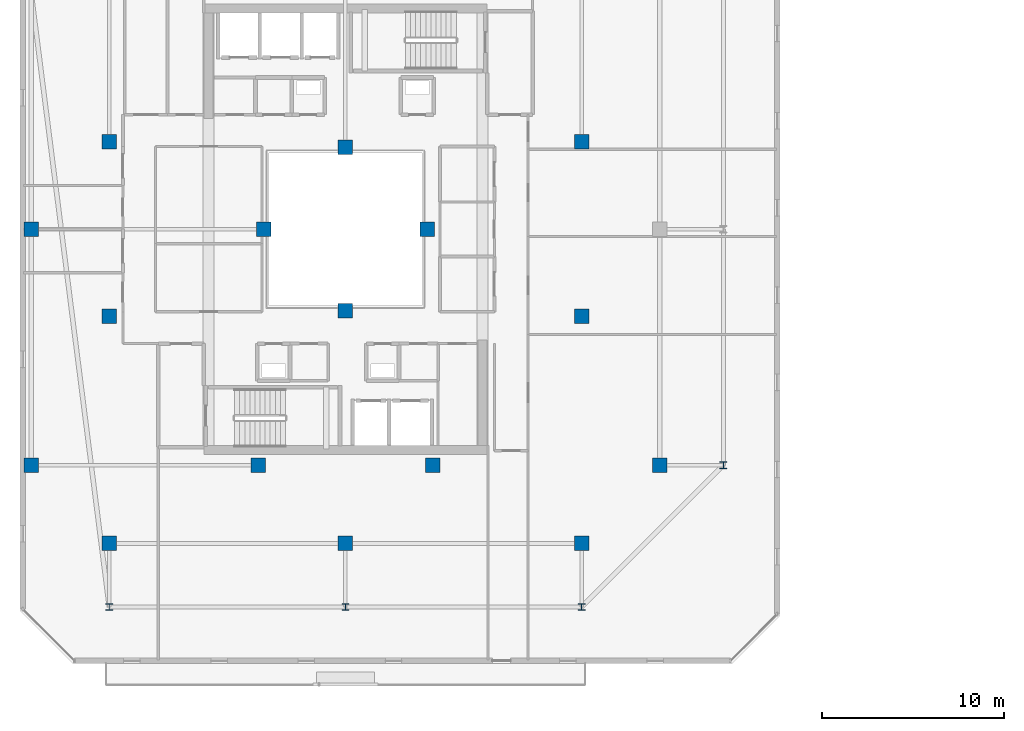
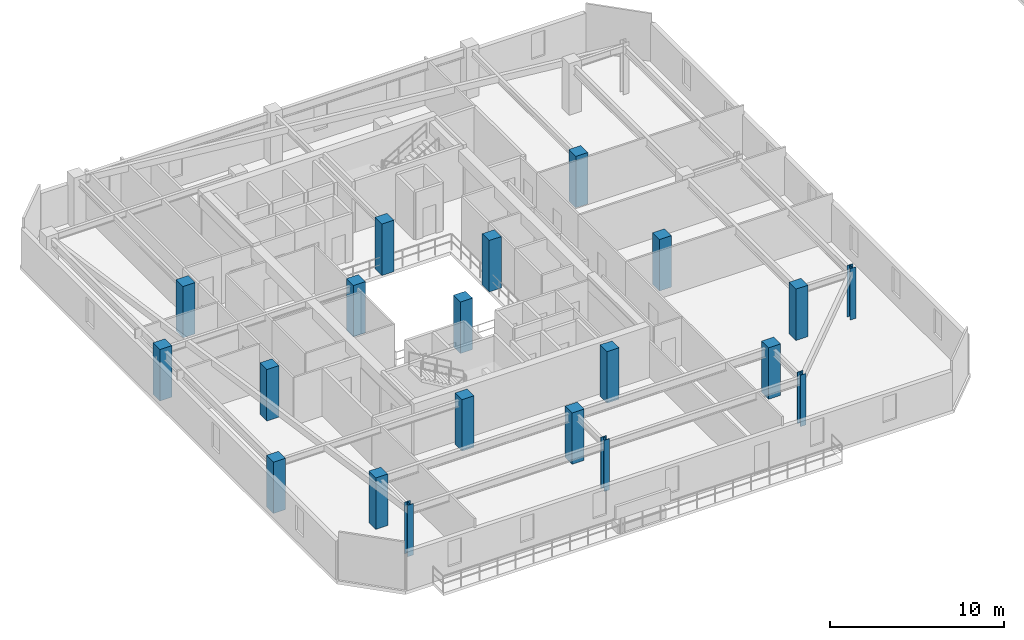
# One storey, part 1 of 35: 20 columns.
"""IFC4 building model written with IfcOpenShell, lengths in metres."""

from ifc_helpers import new_model, si_unit, direction, frame, origin, origin_2d, place, context, subcontext, project, spatial, rectangle, i_section, extrude, material, material_profile, profile_set, type_object, element, save


model = new_model("IFC4")

# Units and contexts
model_context = context("Model", 3, precision=1e-05, world=origin(), true_north=direction((0.0, 1.0)))
body_context = subcontext(model_context, "Body", "Model", "MODEL_VIEW")
ifc_project = project(units=[si_unit("LENGTHUNIT", "METRE"), si_unit("AREAUNIT", "SQUARE_METRE"), si_unit("VOLUMEUNIT", "CUBIC_METRE"), si_unit("PLANEANGLEUNIT", "RADIAN"), si_unit("MASSUNIT", "GRAM", prefix="KILO")], contexts=[model_context])

# Site, building, storey
site_placement = place(None, origin())
site = spatial("IfcSite", under=ifc_project, at=site_placement, CompositionType="ELEMENT")
building_placement = place(site_placement, origin())
building = spatial("IfcBuilding", under=site, at=building_placement, Name="Thornwick Lancets Civic Towers", CompositionType="ELEMENT")
storey_placement = place(building_placement, frame((0.0, 0.0, 272.699951171875)))
storey = spatial("IfcBuildingStorey", under=building, at=storey_placement, Name="L73", CompositionType="ELEMENT", Elevation=272.699951171875)

# Columns
ifc_material_1 = material(Name="Concrete C50/60", Category="concrete")
ifc_material_profile_1 = material_profile(ifc_material_1, rectangle(XDim=0.800048828125, YDim=0.800048828125, at=origin_2d()), Name="RC 800x800")
ifc_profile_set_1 = profile_set([ifc_material_profile_1], Name="Concrete C50/60")
column_type_1 = type_object("IfcColumnType", Name="COL_RC_800", PredefinedType="COLUMN", material=ifc_profile_set_1)
for number, where, z_axis, x_axis, name in (
    (1, (12.5, 9.699951171875, 0.0), (0.0, 0.0, 1.0), (1.0, 0.0, 0.0), "L73 Spine Mega-Column A01"),
    (2, (25.5, 9.699951171875, 0.0), (0.0, 0.0, 1.0), (1.0, 0.0, 0.0), "L73 Spine Mega-Column A02"),
    (3, (38.5, 9.699951171875, 0.0), (0.0, 0.0, 1.0), (1.0, 0.0, 0.0), "L73 Spine Mega-Column A03"),
    (4, (42.800048828125, 14.0, 0.0), (0.0, 0.0, 1.0), (1.0, 0.0, 0.0), "L73 Spine Mega-Column A04"),
    (5, (8.199951171875, 14.0, 0.0), (0.0, 0.0, 1.0), (1.0, 0.0, 0.0), "L73 Spine Mega-Column A10"),
    (6, (8.199951171875, 27.0, 0.0), (0.0, 0.0, 1.0), (1.0, 0.0, 0.0), "L73 Spine Mega-Column A11"),
    (7, (12.5, 22.199951171875, 0.0), (0.0, 0.0, 1.0), (1.0, 0.0, 0.0), "L73 Spine Mega-Column A13"),
    (8, (38.5, 22.199951171875, 0.0), (0.0, 0.0, 1.0), (1.0, 0.0, 0.0), "L73 Spine Mega-Column A14"),
    (9, (12.5, 31.800048828125, 0.0), (0.0, 0.0, 1.0), (1.0, 0.0, 0.0), "L73 Spine Mega-Column A15"),
    (10, (38.5, 31.800048828125, 0.0), (0.0, 0.0, 1.0), (1.0, 0.0, 0.0), "L73 Spine Mega-Column A16"),
    (11, (20.699951171875, 14.0, 0.0), (0.0, 0.0, 1.0), (1.0, 0.0, 0.0), "L73 Spine Mega-Column A17"),
    (12, (30.300048828125, 14.0, 0.0), (0.0, 0.0, 1.0), (1.0, 0.0, 0.0), "L73 Spine Mega-Column A18"),
    (13, (25.5, 22.5, 0.0), (0.0, 0.0, 1.0), (1.0, 0.0, 0.0), "L73 Spine Mega-Column A21"),
    (14, (25.5, 31.5, 0.0), (0.0, 0.0, 1.0), (1.0, 0.0, 0.0), "L73 Spine Mega-Column A22"),
    (15, (21.0, 27.0, 0.0), (0.0, 0.0, 1.0), (1.0, 0.0, 0.0), "L73 Spine Mega-Column A23"),
    (16, (30.0, 27.0, 0.0), (0.0, 0.0, 1.0), (1.0, 0.0, 0.0), "L73 Spine Mega-Column A24"),
):
    element("IfcColumn", number, at=place(storey_placement, frame(where, z_axis=z_axis, x_axis=x_axis)), inside=storey, type_object=column_type_1, Name=name, PredefinedType="COLUMN", context=body_context, shape_type="SweptSolid", body=[
        extrude(rectangle(XDim=0.800048828125, YDim=0.800048828125, at=origin_2d()), origin(), (0.0, 0.0, 1.0), 3.60009765625),
    ])
ifc_material_2 = material(Name="Steel S355JR", Category="steel")
ifc_material_profile_2 = material_profile(ifc_material_2, i_section(OverallWidth=0.374755859375, OverallDepth=0.37451171875, WebThickness=0.0166015625, FlangeThickness=0.027099609375, FilletRadius=0.01513671875, at=origin_2d()), Name="UKC 356x368x202")
ifc_profile_set_2 = profile_set([ifc_material_profile_2], Name="Steel S355JR")
column_type_2 = type_object("IfcColumnType", Name="COL_UKC_202", PredefinedType="COLUMN", material=ifc_profile_set_2)
for number, where, z_axis, x_axis, name in (
    (17, (12.5, 6.199951171875, 0.0), (0.0, 0.0, 1.0), (1.0, 0.0, 0.0), "L73 Block Perimeter Column A01"),
    (18, (25.5, 6.199951171875, 0.0), (0.0, 0.0, 1.0), (1.0, 0.0, 0.0), "L73 Block Perimeter Column A02"),
    (19, (38.5, 6.199951171875, 0.0), (0.0, 0.0, 1.0), (1.0, 0.0, 0.0), "L73 Block Perimeter Column A03"),
    (20, (46.300048828125, 14.0, 0.0), (0.0, 0.0, 1.0), (1.0, 0.0, 0.0), "L73 Block Perimeter Column A04"),
):
    element("IfcColumn", number, at=place(storey_placement, frame(where, z_axis=z_axis, x_axis=x_axis)), inside=storey, type_object=column_type_2, Name=name, PredefinedType="COLUMN", context=body_context, shape_type="SweptSolid", body=[
        extrude(i_section(OverallWidth=0.374755859375, OverallDepth=0.37451171875, WebThickness=0.0166015625, FlangeThickness=0.027099609375, FilletRadius=0.01513671875, at=origin_2d()), origin(), (0.0, 0.0, 1.0), 3.60009765625),
    ])

save(model, "model.ifc")
